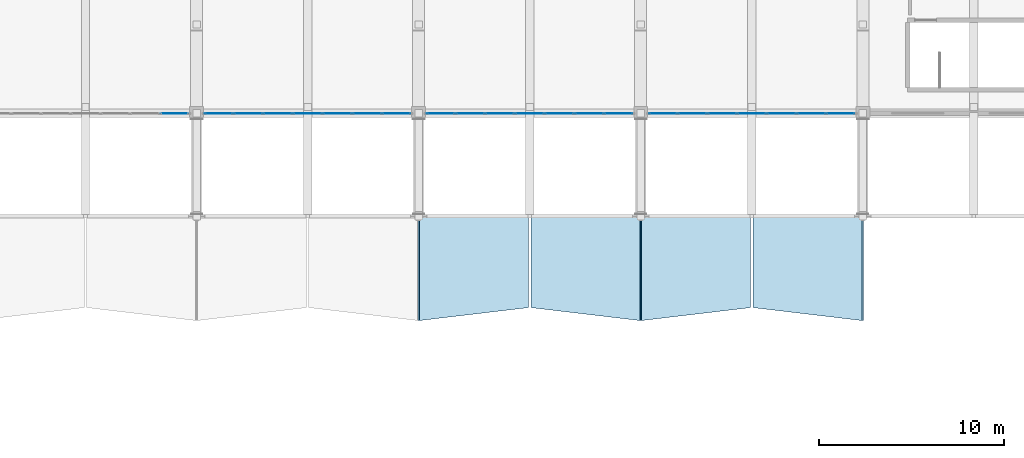
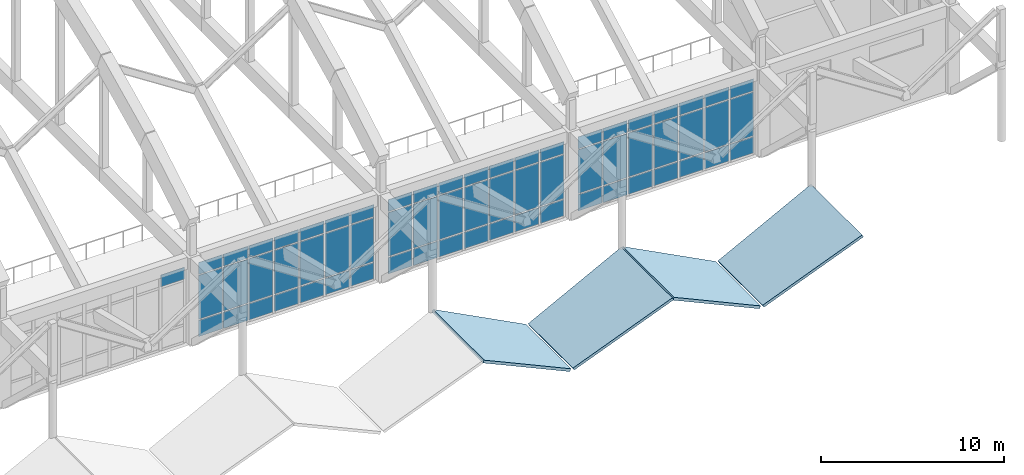
# One storey, part 191 of 236: 64 plates, 4 slabs, 4 elements without a shape of their own.
"""IFC4 building model written with IfcOpenShell, lengths in metres."""

from ifc_helpers import new_model, si_unit, direction, frame, origin, origin_2d, place, context, subcontext, project, spatial, polyline, rectangle, outline, extrude, material, layer, layer_set, type_object, element, aggregate, save


model = new_model("IFC4")

# Units and contexts
model_context = context("Model", 3, precision=1e-05, world=origin(), true_north=direction((0.0, 1.0)))
body_context = subcontext(model_context, "Body", "Model", "MODEL_VIEW")
ifc_project = project(units=[si_unit("LENGTHUNIT", "METRE"), si_unit("AREAUNIT", "SQUARE_METRE"), si_unit("VOLUMEUNIT", "CUBIC_METRE"), si_unit("PLANEANGLEUNIT", "RADIAN"), si_unit("MASSUNIT", "GRAM", prefix="KILO")], contexts=[model_context])

# Site, building, storey
site_placement = place(None, origin())
site = spatial("IfcSite", under=ifc_project, at=site_placement, CompositionType="ELEMENT")
building_placement = place(site_placement, origin())
building = spatial("IfcBuilding", under=site, at=building_placement, Name="Pandanus Reach Market Hall", CompositionType="ELEMENT")
storey_placement = place(building_placement, frame((0.0, 0.0, 5.39990234375)))
storey = spatial("IfcBuildingStorey", under=building, at=storey_placement, Name="L01", CompositionType="ELEMENT", Elevation=5.39990234375)

# Curtain wall, plate
ifc_material_1 = material(Name="Bronze anodised aluminium and low-E glass", Category="aluminium")
ifc_layer_1 = layer(ifc_material_1, 0.199951171875, Name="CW-02")
ifc_layer_set_1 = layer_set([ifc_layer_1], Name="Bronze anodised aluminium and low-E glass")
curtain_wall_type = type_object("IfcCurtainWallType", Name="CW-02", PredefinedType="NOTDEFINED", material=ifc_layer_set_1)
curtain_wall_1_placement = place(storey_placement, origin())
curtain_wall_1 = element("IfcCurtainWall", 1, at=curtain_wall_1_placement, inside=storey, type_object=curtain_wall_type, Name="Glazed curtain wall CW-02 CW-0004", PredefinedType="NOTDEFINED")
ifc_material_2 = material(Name="Acoustic laminated solar double glazing", Category="glass")
ifc_layer_2 = layer(ifc_material_2, 0.031982421875, Name="CW-P2")
ifc_layer_set_2 = layer_set([ifc_layer_2], Name="Acoustic laminated solar double glazing")
plate_type = type_object("IfcPlateType", Name="CW-P2", PredefinedType="CURTAIN_PANEL", material=ifc_layer_set_2)
plate_1_placement = place(storey_placement, frame((82.802734375, 28.800048828125, 4.237548828125), z_axis=(0.0, 0.0, 1.0), x_axis=(1.0, 0.0, 0.0)))
plate_1 = element("IfcPlate", 2, at=plate_1_placement, type_object=plate_type, Name="CW-02 panel 7.3", PredefinedType="CURTAIN_PANEL", context=body_context, shape_type="SweptSolid", body=[
    extrude(rectangle(XDim=1.49462890625, YDim=0.031982421875, at=origin_2d()), origin(), (0.0, 0.0, 1.0), 0.78759765625),
])
aggregate(curtain_wall_1, [plate_1])

# Curtain wall, plates
curtain_wall_2_placement = place(storey_placement, origin())
curtain_wall_2 = element("IfcCurtainWall", 3, at=curtain_wall_2_placement, inside=storey, type_object=curtain_wall_type, Name="Glazed curtain wall CW-02 CW-0005", PredefinedType="NOTDEFINED")
plate_2_placement = place(storey_placement, frame((85.197265625, 28.800048828125, 0.0751953125), z_axis=(0.0, 0.0, 1.0), x_axis=(1.0, 0.0, 0.0)))
plate_2 = element("IfcPlate", 4, at=plate_2_placement, type_object=plate_type, Name="CW-02 panel 1.1", PredefinedType="CURTAIN_PANEL", context=body_context, shape_type="SweptSolid", body=[
    extrude(rectangle(XDim=1.49462890625, YDim=0.031982421875, at=origin_2d()), origin(), (0.0, 0.0, 1.0), 1.08740234375),
])
plate_3_placement = place(storey_placement, frame((85.197265625, 28.800048828125, 1.23779296875), z_axis=(0.0, 0.0, 1.0), x_axis=(1.0, 0.0, 0.0)))
plate_3 = element("IfcPlate", 5, at=plate_3_placement, type_object=plate_type, Name="CW-02 panel 1.2", PredefinedType="CURTAIN_PANEL", context=body_context, shape_type="SweptSolid", body=[
    extrude(rectangle(XDim=1.49462890625, YDim=0.031982421875, at=origin_2d()), origin(), (0.0, 0.0, 1.0), 2.925048828125),
])
plate_4_placement = place(storey_placement, frame((85.197265625, 28.800048828125, 4.237548828125), z_axis=(0.0, 0.0, 1.0), x_axis=(1.0, 0.0, 0.0)))
plate_4 = element("IfcPlate", 6, at=plate_4_placement, type_object=plate_type, Name="CW-02 panel 1.3", PredefinedType="CURTAIN_PANEL", context=body_context, shape_type="SweptSolid", body=[
    extrude(rectangle(XDim=1.49462890625, YDim=0.031982421875, at=origin_2d()), origin(), (0.0, 0.0, 1.0), 0.78759765625),
])
plate_5_placement = place(storey_placement, frame((86.78564453125, 28.800048828125, 0.0751953125), z_axis=(0.0, 0.0, 1.0), x_axis=(1.0, 0.0, 0.0)))
plate_5 = element("IfcPlate", 7, at=plate_5_placement, type_object=plate_type, Name="CW-02 panel 2.1", PredefinedType="CURTAIN_PANEL", context=body_context, shape_type="SweptSolid", body=[
    extrude(rectangle(XDim=1.5322265625, YDim=0.031982421875, at=origin_2d()), origin(), (0.0, 0.0, 1.0), 1.08740234375),
])
plate_6_placement = place(storey_placement, frame((86.78564453125, 28.800048828125, 1.23779296875), z_axis=(0.0, 0.0, 1.0), x_axis=(1.0, 0.0, 0.0)))
plate_6 = element("IfcPlate", 8, at=plate_6_placement, type_object=plate_type, Name="CW-02 panel 2.2", PredefinedType="CURTAIN_PANEL", context=body_context, shape_type="SweptSolid", body=[
    extrude(rectangle(XDim=1.5322265625, YDim=0.031982421875, at=origin_2d()), origin(), (0.0, 0.0, 1.0), 2.925048828125),
])
plate_7_placement = place(storey_placement, frame((86.78564453125, 28.800048828125, 4.237548828125), z_axis=(0.0, 0.0, 1.0), x_axis=(1.0, 0.0, 0.0)))
plate_7 = element("IfcPlate", 9, at=plate_7_placement, type_object=plate_type, Name="CW-02 panel 2.3", PredefinedType="CURTAIN_PANEL", context=body_context, shape_type="SweptSolid", body=[
    extrude(rectangle(XDim=1.5322265625, YDim=0.031982421875, at=origin_2d()), origin(), (0.0, 0.0, 1.0), 0.78759765625),
])
plate_8_placement = place(storey_placement, frame((88.392822265625, 28.800048828125, 0.0751953125), z_axis=(0.0, 0.0, 1.0), x_axis=(1.0, 0.0, 0.0)))
plate_8 = element("IfcPlate", 10, at=plate_8_placement, type_object=plate_type, Name="CW-02 panel 3.1", PredefinedType="CURTAIN_PANEL", context=body_context, shape_type="SweptSolid", body=[
    extrude(rectangle(XDim=1.5322265625, YDim=0.031982421875, at=origin_2d()), origin(), (0.0, 0.0, 1.0), 1.08740234375),
])
plate_9_placement = place(storey_placement, frame((88.392822265625, 28.800048828125, 1.23779296875), z_axis=(0.0, 0.0, 1.0), x_axis=(1.0, 0.0, 0.0)))
plate_9 = element("IfcPlate", 11, at=plate_9_placement, type_object=plate_type, Name="CW-02 panel 3.2", PredefinedType="CURTAIN_PANEL", context=body_context, shape_type="SweptSolid", body=[
    extrude(rectangle(XDim=1.5322265625, YDim=0.031982421875, at=origin_2d()), origin(), (0.0, 0.0, 1.0), 2.925048828125),
])
plate_10_placement = place(storey_placement, frame((88.392822265625, 28.800048828125, 4.237548828125), z_axis=(0.0, 0.0, 1.0), x_axis=(1.0, 0.0, 0.0)))
plate_10 = element("IfcPlate", 12, at=plate_10_placement, type_object=plate_type, Name="CW-02 panel 3.3", PredefinedType="CURTAIN_PANEL", context=body_context, shape_type="SweptSolid", body=[
    extrude(rectangle(XDim=1.5322265625, YDim=0.031982421875, at=origin_2d()), origin(), (0.0, 0.0, 1.0), 0.78759765625),
])
plate_11_placement = place(storey_placement, frame((90.0, 28.800048828125, 0.0751953125), z_axis=(0.0, 0.0, 1.0), x_axis=(1.0, 0.0, 0.0)))
plate_11 = element("IfcPlate", 13, at=plate_11_placement, type_object=plate_type, Name="CW-02 panel 4.1", PredefinedType="CURTAIN_PANEL", context=body_context, shape_type="SweptSolid", body=[
    extrude(rectangle(XDim=1.5322265625, YDim=0.031982421875, at=origin_2d()), origin(), (0.0, 0.0, 1.0), 1.08740234375),
])
plate_12_placement = place(storey_placement, frame((90.0, 28.800048828125, 1.23779296875), z_axis=(0.0, 0.0, 1.0), x_axis=(1.0, 0.0, 0.0)))
plate_12 = element("IfcPlate", 14, at=plate_12_placement, type_object=plate_type, Name="CW-02 panel 4.2", PredefinedType="CURTAIN_PANEL", context=body_context, shape_type="SweptSolid", body=[
    extrude(rectangle(XDim=1.5322265625, YDim=0.031982421875, at=origin_2d()), origin(), (0.0, 0.0, 1.0), 2.925048828125),
])
plate_13_placement = place(storey_placement, frame((90.0, 28.800048828125, 4.237548828125), z_axis=(0.0, 0.0, 1.0), x_axis=(1.0, 0.0, 0.0)))
plate_13 = element("IfcPlate", 15, at=plate_13_placement, type_object=plate_type, Name="CW-02 panel 4.3", PredefinedType="CURTAIN_PANEL", context=body_context, shape_type="SweptSolid", body=[
    extrude(rectangle(XDim=1.5322265625, YDim=0.031982421875, at=origin_2d()), origin(), (0.0, 0.0, 1.0), 0.78759765625),
])
plate_14_placement = place(storey_placement, frame((91.607177734375, 28.800048828125, 0.0751953125), z_axis=(0.0, 0.0, 1.0), x_axis=(1.0, 0.0, 0.0)))
plate_14 = element("IfcPlate", 16, at=plate_14_placement, type_object=plate_type, Name="CW-02 panel 5.1", PredefinedType="CURTAIN_PANEL", context=body_context, shape_type="SweptSolid", body=[
    extrude(rectangle(XDim=1.5322265625, YDim=0.031982421875, at=origin_2d()), origin(), (0.0, 0.0, 1.0), 1.08740234375),
])
plate_15_placement = place(storey_placement, frame((91.607177734375, 28.800048828125, 1.23779296875), z_axis=(0.0, 0.0, 1.0), x_axis=(1.0, 0.0, 0.0)))
plate_15 = element("IfcPlate", 17, at=plate_15_placement, type_object=plate_type, Name="CW-02 panel 5.2", PredefinedType="CURTAIN_PANEL", context=body_context, shape_type="SweptSolid", body=[
    extrude(rectangle(XDim=1.5322265625, YDim=0.031982421875, at=origin_2d()), origin(), (0.0, 0.0, 1.0), 2.925048828125),
])
plate_16_placement = place(storey_placement, frame((91.607177734375, 28.800048828125, 4.237548828125), z_axis=(0.0, 0.0, 1.0), x_axis=(1.0, 0.0, 0.0)))
plate_16 = element("IfcPlate", 18, at=plate_16_placement, type_object=plate_type, Name="CW-02 panel 5.3", PredefinedType="CURTAIN_PANEL", context=body_context, shape_type="SweptSolid", body=[
    extrude(rectangle(XDim=1.5322265625, YDim=0.031982421875, at=origin_2d()), origin(), (0.0, 0.0, 1.0), 0.78759765625),
])
plate_17_placement = place(storey_placement, frame((93.21435546875, 28.800048828125, 0.0751953125), z_axis=(0.0, 0.0, 1.0), x_axis=(1.0, 0.0, 0.0)))
plate_17 = element("IfcPlate", 19, at=plate_17_placement, type_object=plate_type, Name="CW-02 panel 6.1", PredefinedType="CURTAIN_PANEL", context=body_context, shape_type="SweptSolid", body=[
    extrude(rectangle(XDim=1.5322265625, YDim=0.031982421875, at=origin_2d()), origin(), (0.0, 0.0, 1.0), 1.08740234375),
])
plate_18_placement = place(storey_placement, frame((93.21435546875, 28.800048828125, 1.23779296875), z_axis=(0.0, 0.0, 1.0), x_axis=(1.0, 0.0, 0.0)))
plate_18 = element("IfcPlate", 20, at=plate_18_placement, type_object=plate_type, Name="CW-02 panel 6.2", PredefinedType="CURTAIN_PANEL", context=body_context, shape_type="SweptSolid", body=[
    extrude(rectangle(XDim=1.5322265625, YDim=0.031982421875, at=origin_2d()), origin(), (0.0, 0.0, 1.0), 2.925048828125),
])
plate_19_placement = place(storey_placement, frame((93.21435546875, 28.800048828125, 4.237548828125), z_axis=(0.0, 0.0, 1.0), x_axis=(1.0, 0.0, 0.0)))
plate_19 = element("IfcPlate", 21, at=plate_19_placement, type_object=plate_type, Name="CW-02 panel 6.3", PredefinedType="CURTAIN_PANEL", context=body_context, shape_type="SweptSolid", body=[
    extrude(rectangle(XDim=1.5322265625, YDim=0.031982421875, at=origin_2d()), origin(), (0.0, 0.0, 1.0), 0.78759765625),
])
plate_20_placement = place(storey_placement, frame((94.802734375, 28.800048828125, 0.0751953125), z_axis=(0.0, 0.0, 1.0), x_axis=(1.0, 0.0, 0.0)))
plate_20 = element("IfcPlate", 22, at=plate_20_placement, type_object=plate_type, Name="CW-02 panel 7.1", PredefinedType="CURTAIN_PANEL", context=body_context, shape_type="SweptSolid", body=[
    extrude(rectangle(XDim=1.49462890625, YDim=0.031982421875, at=origin_2d()), origin(), (0.0, 0.0, 1.0), 1.08740234375),
])
plate_21_placement = place(storey_placement, frame((94.802734375, 28.800048828125, 1.23779296875), z_axis=(0.0, 0.0, 1.0), x_axis=(1.0, 0.0, 0.0)))
plate_21 = element("IfcPlate", 23, at=plate_21_placement, type_object=plate_type, Name="CW-02 panel 7.2", PredefinedType="CURTAIN_PANEL", context=body_context, shape_type="SweptSolid", body=[
    extrude(rectangle(XDim=1.49462890625, YDim=0.031982421875, at=origin_2d()), origin(), (0.0, 0.0, 1.0), 2.925048828125),
])
plate_22_placement = place(storey_placement, frame((94.802734375, 28.800048828125, 4.237548828125), z_axis=(0.0, 0.0, 1.0), x_axis=(1.0, 0.0, 0.0)))
plate_22 = element("IfcPlate", 24, at=plate_22_placement, type_object=plate_type, Name="CW-02 panel 7.3", PredefinedType="CURTAIN_PANEL", context=body_context, shape_type="SweptSolid", body=[
    extrude(rectangle(XDim=1.49462890625, YDim=0.031982421875, at=origin_2d()), origin(), (0.0, 0.0, 1.0), 0.78759765625),
])
aggregate(curtain_wall_2, [plate_2, plate_3, plate_4, plate_5, plate_6, plate_7, plate_8, plate_9, plate_10, plate_11, plate_12, plate_13, plate_14, plate_15, plate_16, plate_17, plate_18, plate_19, plate_20, plate_21, plate_22])

curtain_wall_3_placement = place(storey_placement, origin())
curtain_wall_3 = element("IfcCurtainWall", 25, at=curtain_wall_3_placement, inside=storey, type_object=curtain_wall_type, Name="Glazed curtain wall CW-02 CW-0006", PredefinedType="NOTDEFINED")
plate_23_placement = place(storey_placement, frame((97.197265625, 28.800048828125, 0.0751953125), z_axis=(0.0, 0.0, 1.0), x_axis=(1.0, 0.0, 0.0)))
plate_23 = element("IfcPlate", 26, at=plate_23_placement, type_object=plate_type, Name="CW-02 panel 1.1", PredefinedType="CURTAIN_PANEL", context=body_context, shape_type="SweptSolid", body=[
    extrude(rectangle(XDim=1.49462890625, YDim=0.031982421875, at=origin_2d()), origin(), (0.0, 0.0, 1.0), 1.08740234375),
])
plate_24_placement = place(storey_placement, frame((97.197265625, 28.800048828125, 1.23779296875), z_axis=(0.0, 0.0, 1.0), x_axis=(1.0, 0.0, 0.0)))
plate_24 = element("IfcPlate", 27, at=plate_24_placement, type_object=plate_type, Name="CW-02 panel 1.2", PredefinedType="CURTAIN_PANEL", context=body_context, shape_type="SweptSolid", body=[
    extrude(rectangle(XDim=1.49462890625, YDim=0.031982421875, at=origin_2d()), origin(), (0.0, 0.0, 1.0), 2.925048828125),
])
plate_25_placement = place(storey_placement, frame((97.197265625, 28.800048828125, 4.237548828125), z_axis=(0.0, 0.0, 1.0), x_axis=(1.0, 0.0, 0.0)))
plate_25 = element("IfcPlate", 28, at=plate_25_placement, type_object=plate_type, Name="CW-02 panel 1.3", PredefinedType="CURTAIN_PANEL", context=body_context, shape_type="SweptSolid", body=[
    extrude(rectangle(XDim=1.49462890625, YDim=0.031982421875, at=origin_2d()), origin(), (0.0, 0.0, 1.0), 0.78759765625),
])
plate_26_placement = place(storey_placement, frame((98.78564453125, 28.800048828125, 0.0751953125), z_axis=(0.0, 0.0, 1.0), x_axis=(1.0, 0.0, 0.0)))
plate_26 = element("IfcPlate", 29, at=plate_26_placement, type_object=plate_type, Name="CW-02 panel 2.1", PredefinedType="CURTAIN_PANEL", context=body_context, shape_type="SweptSolid", body=[
    extrude(rectangle(XDim=1.5322265625, YDim=0.031982421875, at=origin_2d()), origin(), (0.0, 0.0, 1.0), 1.08740234375),
])
plate_27_placement = place(storey_placement, frame((98.78564453125, 28.800048828125, 1.23779296875), z_axis=(0.0, 0.0, 1.0), x_axis=(1.0, 0.0, 0.0)))
plate_27 = element("IfcPlate", 30, at=plate_27_placement, type_object=plate_type, Name="CW-02 panel 2.2", PredefinedType="CURTAIN_PANEL", context=body_context, shape_type="SweptSolid", body=[
    extrude(rectangle(XDim=1.5322265625, YDim=0.031982421875, at=origin_2d()), origin(), (0.0, 0.0, 1.0), 2.925048828125),
])
plate_28_placement = place(storey_placement, frame((98.78564453125, 28.800048828125, 4.237548828125), z_axis=(0.0, 0.0, 1.0), x_axis=(1.0, 0.0, 0.0)))
plate_28 = element("IfcPlate", 31, at=plate_28_placement, type_object=plate_type, Name="CW-02 panel 2.3", PredefinedType="CURTAIN_PANEL", context=body_context, shape_type="SweptSolid", body=[
    extrude(rectangle(XDim=1.5322265625, YDim=0.031982421875, at=origin_2d()), origin(), (0.0, 0.0, 1.0), 0.78759765625),
])
plate_29_placement = place(storey_placement, frame((100.392822265625, 28.800048828125, 0.0751953125), z_axis=(0.0, 0.0, 1.0), x_axis=(1.0, 0.0, 0.0)))
plate_29 = element("IfcPlate", 32, at=plate_29_placement, type_object=plate_type, Name="CW-02 panel 3.1", PredefinedType="CURTAIN_PANEL", context=body_context, shape_type="SweptSolid", body=[
    extrude(rectangle(XDim=1.5322265625, YDim=0.031982421875, at=origin_2d()), origin(), (0.0, 0.0, 1.0), 1.08740234375),
])
plate_30_placement = place(storey_placement, frame((100.392822265625, 28.800048828125, 1.23779296875), z_axis=(0.0, 0.0, 1.0), x_axis=(1.0, 0.0, 0.0)))
plate_30 = element("IfcPlate", 33, at=plate_30_placement, type_object=plate_type, Name="CW-02 panel 3.2", PredefinedType="CURTAIN_PANEL", context=body_context, shape_type="SweptSolid", body=[
    extrude(rectangle(XDim=1.5322265625, YDim=0.031982421875, at=origin_2d()), origin(), (0.0, 0.0, 1.0), 2.925048828125),
])
plate_31_placement = place(storey_placement, frame((100.392822265625, 28.800048828125, 4.237548828125), z_axis=(0.0, 0.0, 1.0), x_axis=(1.0, 0.0, 0.0)))
plate_31 = element("IfcPlate", 34, at=plate_31_placement, type_object=plate_type, Name="CW-02 panel 3.3", PredefinedType="CURTAIN_PANEL", context=body_context, shape_type="SweptSolid", body=[
    extrude(rectangle(XDim=1.5322265625, YDim=0.031982421875, at=origin_2d()), origin(), (0.0, 0.0, 1.0), 0.78759765625),
])
plate_32_placement = place(storey_placement, frame((102.0, 28.800048828125, 0.0751953125), z_axis=(0.0, 0.0, 1.0), x_axis=(1.0, 0.0, 0.0)))
plate_32 = element("IfcPlate", 35, at=plate_32_placement, type_object=plate_type, Name="CW-02 panel 4.1", PredefinedType="CURTAIN_PANEL", context=body_context, shape_type="SweptSolid", body=[
    extrude(rectangle(XDim=1.5322265625, YDim=0.031982421875, at=origin_2d()), origin(), (0.0, 0.0, 1.0), 1.08740234375),
])
plate_33_placement = place(storey_placement, frame((102.0, 28.800048828125, 1.23779296875), z_axis=(0.0, 0.0, 1.0), x_axis=(1.0, 0.0, 0.0)))
plate_33 = element("IfcPlate", 36, at=plate_33_placement, type_object=plate_type, Name="CW-02 panel 4.2", PredefinedType="CURTAIN_PANEL", context=body_context, shape_type="SweptSolid", body=[
    extrude(rectangle(XDim=1.5322265625, YDim=0.031982421875, at=origin_2d()), origin(), (0.0, 0.0, 1.0), 2.925048828125),
])
plate_34_placement = place(storey_placement, frame((102.0, 28.800048828125, 4.237548828125), z_axis=(0.0, 0.0, 1.0), x_axis=(1.0, 0.0, 0.0)))
plate_34 = element("IfcPlate", 37, at=plate_34_placement, type_object=plate_type, Name="CW-02 panel 4.3", PredefinedType="CURTAIN_PANEL", context=body_context, shape_type="SweptSolid", body=[
    extrude(rectangle(XDim=1.5322265625, YDim=0.031982421875, at=origin_2d()), origin(), (0.0, 0.0, 1.0), 0.78759765625),
])
plate_35_placement = place(storey_placement, frame((103.607177734375, 28.800048828125, 0.0751953125), z_axis=(0.0, 0.0, 1.0), x_axis=(1.0, 0.0, 0.0)))
plate_35 = element("IfcPlate", 38, at=plate_35_placement, type_object=plate_type, Name="CW-02 panel 5.1", PredefinedType="CURTAIN_PANEL", context=body_context, shape_type="SweptSolid", body=[
    extrude(rectangle(XDim=1.5322265625, YDim=0.031982421875, at=origin_2d()), origin(), (0.0, 0.0, 1.0), 1.08740234375),
])
plate_36_placement = place(storey_placement, frame((103.607177734375, 28.800048828125, 1.23779296875), z_axis=(0.0, 0.0, 1.0), x_axis=(1.0, 0.0, 0.0)))
plate_36 = element("IfcPlate", 39, at=plate_36_placement, type_object=plate_type, Name="CW-02 panel 5.2", PredefinedType="CURTAIN_PANEL", context=body_context, shape_type="SweptSolid", body=[
    extrude(rectangle(XDim=1.5322265625, YDim=0.031982421875, at=origin_2d()), origin(), (0.0, 0.0, 1.0), 2.925048828125),
])
plate_37_placement = place(storey_placement, frame((103.607177734375, 28.800048828125, 4.237548828125), z_axis=(0.0, 0.0, 1.0), x_axis=(1.0, 0.0, 0.0)))
plate_37 = element("IfcPlate", 40, at=plate_37_placement, type_object=plate_type, Name="CW-02 panel 5.3", PredefinedType="CURTAIN_PANEL", context=body_context, shape_type="SweptSolid", body=[
    extrude(rectangle(XDim=1.5322265625, YDim=0.031982421875, at=origin_2d()), origin(), (0.0, 0.0, 1.0), 0.78759765625),
])
plate_38_placement = place(storey_placement, frame((105.21435546875, 28.800048828125, 0.0751953125), z_axis=(0.0, 0.0, 1.0), x_axis=(1.0, 0.0, 0.0)))
plate_38 = element("IfcPlate", 41, at=plate_38_placement, type_object=plate_type, Name="CW-02 panel 6.1", PredefinedType="CURTAIN_PANEL", context=body_context, shape_type="SweptSolid", body=[
    extrude(rectangle(XDim=1.5322265625, YDim=0.031982421875, at=origin_2d()), origin(), (0.0, 0.0, 1.0), 1.08740234375),
])
plate_39_placement = place(storey_placement, frame((105.21435546875, 28.800048828125, 1.23779296875), z_axis=(0.0, 0.0, 1.0), x_axis=(1.0, 0.0, 0.0)))
plate_39 = element("IfcPlate", 42, at=plate_39_placement, type_object=plate_type, Name="CW-02 panel 6.2", PredefinedType="CURTAIN_PANEL", context=body_context, shape_type="SweptSolid", body=[
    extrude(rectangle(XDim=1.5322265625, YDim=0.031982421875, at=origin_2d()), origin(), (0.0, 0.0, 1.0), 2.925048828125),
])
plate_40_placement = place(storey_placement, frame((105.21435546875, 28.800048828125, 4.237548828125), z_axis=(0.0, 0.0, 1.0), x_axis=(1.0, 0.0, 0.0)))
plate_40 = element("IfcPlate", 43, at=plate_40_placement, type_object=plate_type, Name="CW-02 panel 6.3", PredefinedType="CURTAIN_PANEL", context=body_context, shape_type="SweptSolid", body=[
    extrude(rectangle(XDim=1.5322265625, YDim=0.031982421875, at=origin_2d()), origin(), (0.0, 0.0, 1.0), 0.78759765625),
])
plate_41_placement = place(storey_placement, frame((106.802734375, 28.800048828125, 0.0751953125), z_axis=(0.0, 0.0, 1.0), x_axis=(1.0, 0.0, 0.0)))
plate_41 = element("IfcPlate", 44, at=plate_41_placement, type_object=plate_type, Name="CW-02 panel 7.1", PredefinedType="CURTAIN_PANEL", context=body_context, shape_type="SweptSolid", body=[
    extrude(rectangle(XDim=1.49462890625, YDim=0.031982421875, at=origin_2d()), origin(), (0.0, 0.0, 1.0), 1.08740234375),
])
plate_42_placement = place(storey_placement, frame((106.802734375, 28.800048828125, 1.23779296875), z_axis=(0.0, 0.0, 1.0), x_axis=(1.0, 0.0, 0.0)))
plate_42 = element("IfcPlate", 45, at=plate_42_placement, type_object=plate_type, Name="CW-02 panel 7.2", PredefinedType="CURTAIN_PANEL", context=body_context, shape_type="SweptSolid", body=[
    extrude(rectangle(XDim=1.49462890625, YDim=0.031982421875, at=origin_2d()), origin(), (0.0, 0.0, 1.0), 2.925048828125),
])
plate_43_placement = place(storey_placement, frame((106.802734375, 28.800048828125, 4.237548828125), z_axis=(0.0, 0.0, 1.0), x_axis=(1.0, 0.0, 0.0)))
plate_43 = element("IfcPlate", 46, at=plate_43_placement, type_object=plate_type, Name="CW-02 panel 7.3", PredefinedType="CURTAIN_PANEL", context=body_context, shape_type="SweptSolid", body=[
    extrude(rectangle(XDim=1.49462890625, YDim=0.031982421875, at=origin_2d()), origin(), (0.0, 0.0, 1.0), 0.78759765625),
])
aggregate(curtain_wall_3, [plate_23, plate_24, plate_25, plate_26, plate_27, plate_28, plate_29, plate_30, plate_31, plate_32, plate_33, plate_34, plate_35, plate_36, plate_37, plate_38, plate_39, plate_40, plate_41, plate_42, plate_43])

curtain_wall_4_placement = place(storey_placement, origin())
curtain_wall_4 = element("IfcCurtainWall", 47, at=curtain_wall_4_placement, inside=storey, type_object=curtain_wall_type, Name="Glazed curtain wall CW-02 CW-0008", PredefinedType="NOTDEFINED")
plate_44_placement = place(storey_placement, frame((109.197265625, 28.800048828125, 0.0751953125), z_axis=(0.0, 0.0, 1.0), x_axis=(1.0, 0.0, 0.0)))
plate_44 = element("IfcPlate", 48, at=plate_44_placement, type_object=plate_type, Name="CW-02 panel 1.1", PredefinedType="CURTAIN_PANEL", context=body_context, shape_type="SweptSolid", body=[
    extrude(rectangle(XDim=1.49462890625, YDim=0.031982421875, at=origin_2d()), origin(), (0.0, 0.0, 1.0), 1.08740234375),
])
plate_45_placement = place(storey_placement, frame((109.197265625, 28.800048828125, 1.23779296875), z_axis=(0.0, 0.0, 1.0), x_axis=(1.0, 0.0, 0.0)))
plate_45 = element("IfcPlate", 49, at=plate_45_placement, type_object=plate_type, Name="CW-02 panel 1.2", PredefinedType="CURTAIN_PANEL", context=body_context, shape_type="SweptSolid", body=[
    extrude(rectangle(XDim=1.49462890625, YDim=0.031982421875, at=origin_2d()), origin(), (0.0, 0.0, 1.0), 2.925048828125),
])
plate_46_placement = place(storey_placement, frame((109.197265625, 28.800048828125, 4.237548828125), z_axis=(0.0, 0.0, 1.0), x_axis=(1.0, 0.0, 0.0)))
plate_46 = element("IfcPlate", 50, at=plate_46_placement, type_object=plate_type, Name="CW-02 panel 1.3", PredefinedType="CURTAIN_PANEL", context=body_context, shape_type="SweptSolid", body=[
    extrude(rectangle(XDim=1.49462890625, YDim=0.031982421875, at=origin_2d()), origin(), (0.0, 0.0, 1.0), 0.78759765625),
])
plate_47_placement = place(storey_placement, frame((110.78564453125, 28.800048828125, 0.0751953125), z_axis=(0.0, 0.0, 1.0), x_axis=(1.0, 0.0, 0.0)))
plate_47 = element("IfcPlate", 51, at=plate_47_placement, type_object=plate_type, Name="CW-02 panel 2.1", PredefinedType="CURTAIN_PANEL", context=body_context, shape_type="SweptSolid", body=[
    extrude(rectangle(XDim=1.5322265625, YDim=0.031982421875, at=origin_2d()), origin(), (0.0, 0.0, 1.0), 1.08740234375),
])
plate_48_placement = place(storey_placement, frame((110.78564453125, 28.800048828125, 1.23779296875), z_axis=(0.0, 0.0, 1.0), x_axis=(1.0, 0.0, 0.0)))
plate_48 = element("IfcPlate", 52, at=plate_48_placement, type_object=plate_type, Name="CW-02 panel 2.2", PredefinedType="CURTAIN_PANEL", context=body_context, shape_type="SweptSolid", body=[
    extrude(rectangle(XDim=1.5322265625, YDim=0.031982421875, at=origin_2d()), origin(), (0.0, 0.0, 1.0), 2.925048828125),
])
plate_49_placement = place(storey_placement, frame((110.78564453125, 28.800048828125, 4.237548828125), z_axis=(0.0, 0.0, 1.0), x_axis=(1.0, 0.0, 0.0)))
plate_49 = element("IfcPlate", 53, at=plate_49_placement, type_object=plate_type, Name="CW-02 panel 2.3", PredefinedType="CURTAIN_PANEL", context=body_context, shape_type="SweptSolid", body=[
    extrude(rectangle(XDim=1.5322265625, YDim=0.031982421875, at=origin_2d()), origin(), (0.0, 0.0, 1.0), 0.78759765625),
])
plate_50_placement = place(storey_placement, frame((112.392822265625, 28.800048828125, 0.0751953125), z_axis=(0.0, 0.0, 1.0), x_axis=(1.0, 0.0, 0.0)))
plate_50 = element("IfcPlate", 54, at=plate_50_placement, type_object=plate_type, Name="CW-02 panel 3.1", PredefinedType="CURTAIN_PANEL", context=body_context, shape_type="SweptSolid", body=[
    extrude(rectangle(XDim=1.5322265625, YDim=0.031982421875, at=origin_2d()), origin(), (0.0, 0.0, 1.0), 1.08740234375),
])
plate_51_placement = place(storey_placement, frame((112.392822265625, 28.800048828125, 1.23779296875), z_axis=(0.0, 0.0, 1.0), x_axis=(1.0, 0.0, 0.0)))
plate_51 = element("IfcPlate", 55, at=plate_51_placement, type_object=plate_type, Name="CW-02 panel 3.2", PredefinedType="CURTAIN_PANEL", context=body_context, shape_type="SweptSolid", body=[
    extrude(rectangle(XDim=1.5322265625, YDim=0.031982421875, at=origin_2d()), origin(), (0.0, 0.0, 1.0), 2.925048828125),
])
plate_52_placement = place(storey_placement, frame((112.392822265625, 28.800048828125, 4.237548828125), z_axis=(0.0, 0.0, 1.0), x_axis=(1.0, 0.0, 0.0)))
plate_52 = element("IfcPlate", 56, at=plate_52_placement, type_object=plate_type, Name="CW-02 panel 3.3", PredefinedType="CURTAIN_PANEL", context=body_context, shape_type="SweptSolid", body=[
    extrude(rectangle(XDim=1.5322265625, YDim=0.031982421875, at=origin_2d()), origin(), (0.0, 0.0, 1.0), 0.78759765625),
])
plate_53_placement = place(storey_placement, frame((114.0, 28.800048828125, 0.0751953125), z_axis=(0.0, 0.0, 1.0), x_axis=(1.0, 0.0, 0.0)))
plate_53 = element("IfcPlate", 57, at=plate_53_placement, type_object=plate_type, Name="CW-02 panel 4.1", PredefinedType="CURTAIN_PANEL", context=body_context, shape_type="SweptSolid", body=[
    extrude(rectangle(XDim=1.5322265625, YDim=0.031982421875, at=origin_2d()), origin(), (0.0, 0.0, 1.0), 1.08740234375),
])
plate_54_placement = place(storey_placement, frame((114.0, 28.800048828125, 1.23779296875), z_axis=(0.0, 0.0, 1.0), x_axis=(1.0, 0.0, 0.0)))
plate_54 = element("IfcPlate", 58, at=plate_54_placement, type_object=plate_type, Name="CW-02 panel 4.2", PredefinedType="CURTAIN_PANEL", context=body_context, shape_type="SweptSolid", body=[
    extrude(rectangle(XDim=1.5322265625, YDim=0.031982421875, at=origin_2d()), origin(), (0.0, 0.0, 1.0), 2.925048828125),
])
plate_55_placement = place(storey_placement, frame((114.0, 28.800048828125, 4.237548828125), z_axis=(0.0, 0.0, 1.0), x_axis=(1.0, 0.0, 0.0)))
plate_55 = element("IfcPlate", 59, at=plate_55_placement, type_object=plate_type, Name="CW-02 panel 4.3", PredefinedType="CURTAIN_PANEL", context=body_context, shape_type="SweptSolid", body=[
    extrude(rectangle(XDim=1.5322265625, YDim=0.031982421875, at=origin_2d()), origin(), (0.0, 0.0, 1.0), 0.78759765625),
])
plate_56_placement = place(storey_placement, frame((115.607177734375, 28.800048828125, 0.0751953125), z_axis=(0.0, 0.0, 1.0), x_axis=(1.0, 0.0, 0.0)))
plate_56 = element("IfcPlate", 60, at=plate_56_placement, type_object=plate_type, Name="CW-02 panel 5.1", PredefinedType="CURTAIN_PANEL", context=body_context, shape_type="SweptSolid", body=[
    extrude(rectangle(XDim=1.5322265625, YDim=0.031982421875, at=origin_2d()), origin(), (0.0, 0.0, 1.0), 1.08740234375),
])
plate_57_placement = place(storey_placement, frame((115.607177734375, 28.800048828125, 1.23779296875), z_axis=(0.0, 0.0, 1.0), x_axis=(1.0, 0.0, 0.0)))
plate_57 = element("IfcPlate", 61, at=plate_57_placement, type_object=plate_type, Name="CW-02 panel 5.2", PredefinedType="CURTAIN_PANEL", context=body_context, shape_type="SweptSolid", body=[
    extrude(rectangle(XDim=1.5322265625, YDim=0.031982421875, at=origin_2d()), origin(), (0.0, 0.0, 1.0), 2.925048828125),
])
plate_58_placement = place(storey_placement, frame((115.607177734375, 28.800048828125, 4.237548828125), z_axis=(0.0, 0.0, 1.0), x_axis=(1.0, 0.0, 0.0)))
plate_58 = element("IfcPlate", 62, at=plate_58_placement, type_object=plate_type, Name="CW-02 panel 5.3", PredefinedType="CURTAIN_PANEL", context=body_context, shape_type="SweptSolid", body=[
    extrude(rectangle(XDim=1.5322265625, YDim=0.031982421875, at=origin_2d()), origin(), (0.0, 0.0, 1.0), 0.78759765625),
])
plate_59_placement = place(storey_placement, frame((117.21435546875, 28.800048828125, 0.0751953125), z_axis=(0.0, 0.0, 1.0), x_axis=(1.0, 0.0, 0.0)))
plate_59 = element("IfcPlate", 63, at=plate_59_placement, type_object=plate_type, Name="CW-02 panel 6.1", PredefinedType="CURTAIN_PANEL", context=body_context, shape_type="SweptSolid", body=[
    extrude(rectangle(XDim=1.5322265625, YDim=0.031982421875, at=origin_2d()), origin(), (0.0, 0.0, 1.0), 1.08740234375),
])
plate_60_placement = place(storey_placement, frame((117.21435546875, 28.800048828125, 1.23779296875), z_axis=(0.0, 0.0, 1.0), x_axis=(1.0, 0.0, 0.0)))
plate_60 = element("IfcPlate", 64, at=plate_60_placement, type_object=plate_type, Name="CW-02 panel 6.2", PredefinedType="CURTAIN_PANEL", context=body_context, shape_type="SweptSolid", body=[
    extrude(rectangle(XDim=1.5322265625, YDim=0.031982421875, at=origin_2d()), origin(), (0.0, 0.0, 1.0), 2.925048828125),
])
plate_61_placement = place(storey_placement, frame((117.21435546875, 28.800048828125, 4.237548828125), z_axis=(0.0, 0.0, 1.0), x_axis=(1.0, 0.0, 0.0)))
plate_61 = element("IfcPlate", 65, at=plate_61_placement, type_object=plate_type, Name="CW-02 panel 6.3", PredefinedType="CURTAIN_PANEL", context=body_context, shape_type="SweptSolid", body=[
    extrude(rectangle(XDim=1.5322265625, YDim=0.031982421875, at=origin_2d()), origin(), (0.0, 0.0, 1.0), 0.78759765625),
])
plate_62_placement = place(storey_placement, frame((118.802734375, 28.800048828125, 0.0751953125), z_axis=(0.0, 0.0, 1.0), x_axis=(1.0, 0.0, 0.0)))
plate_62 = element("IfcPlate", 66, at=plate_62_placement, type_object=plate_type, Name="CW-02 panel 7.1", PredefinedType="CURTAIN_PANEL", context=body_context, shape_type="SweptSolid", body=[
    extrude(rectangle(XDim=1.49462890625, YDim=0.031982421875, at=origin_2d()), origin(), (0.0, 0.0, 1.0), 1.08740234375),
])
plate_63_placement = place(storey_placement, frame((118.802734375, 28.800048828125, 1.23779296875), z_axis=(0.0, 0.0, 1.0), x_axis=(1.0, 0.0, 0.0)))
plate_63 = element("IfcPlate", 67, at=plate_63_placement, type_object=plate_type, Name="CW-02 panel 7.2", PredefinedType="CURTAIN_PANEL", context=body_context, shape_type="SweptSolid", body=[
    extrude(rectangle(XDim=1.49462890625, YDim=0.031982421875, at=origin_2d()), origin(), (0.0, 0.0, 1.0), 2.925048828125),
])
plate_64_placement = place(storey_placement, frame((118.802734375, 28.800048828125, 4.237548828125), z_axis=(0.0, 0.0, 1.0), x_axis=(1.0, 0.0, 0.0)))
plate_64 = element("IfcPlate", 68, at=plate_64_placement, type_object=plate_type, Name="CW-02 panel 7.3", PredefinedType="CURTAIN_PANEL", context=body_context, shape_type="SweptSolid", body=[
    extrude(rectangle(XDim=1.49462890625, YDim=0.031982421875, at=origin_2d()), origin(), (0.0, 0.0, 1.0), 0.78759765625),
])
aggregate(curtain_wall_4, [plate_44, plate_45, plate_46, plate_47, plate_48, plate_49, plate_50, plate_51, plate_52, plate_53, plate_54, plate_55, plate_56, plate_57, plate_58, plate_59, plate_60, plate_61, plate_62, plate_63, plate_64])

# Slabs
ifc_material_3 = material(Name="Concrete N50 (50 MPa)", Category="concrete")
ifc_layer_3 = layer(ifc_material_3, 0.179931640625, Name="RF-CNP-180")
ifc_layer_set_3 = layer_set([ifc_layer_3], Name="Concrete N50 (50 MPa)")
slab_type = type_object("IfcSlabType", Name="RF-CNP-180", PredefinedType="ROOF", material=ifc_layer_set_3)
slab_1_placement = place(storey_placement, frame((96.050048828125, 17.60009765625, 1.2275390625), z_axis=(0.461352736642, 0.0, 0.887216801235), x_axis=(0.882326029865, 0.104855076793, -0.45880953553)))
element("IfcSlab", 69, at=slab_1_placement, inside=storey, type_object=slab_type, Name="Forecourt zigzag canopy slab C4W", PredefinedType="ROOF", context=body_context, shape_type="SweptSolid", body=[
    extrude(outline(polyline([(0.0, 0.0), (6.67541518527454, 0.0), (7.18919482180509, 4.872891694196915), (0.5871730704086318, 5.568984394110346), (0.0, 0.0)])), origin(), (0.0, 0.0, -1.0), 0.179931640625),
])
slab_2_placement = place(storey_placement, frame((102.06005859375, 18.300048828125, -1.835205078125), z_axis=(-0.461352736642, 0.0, 0.887216801235), x_axis=(0.882326029865, -0.104855076793, 0.45880953553)))
element("IfcSlab", 70, at=slab_2_placement, inside=storey, type_object=slab_type, Name="Forecourt zigzag canopy slab C4E", PredefinedType="ROOF", context=body_context, shape_type="SweptSolid", body=[
    extrude(outline(polyline([(0.0, 0.0), (6.67541518527454, 0.0), (6.088242114865908, 5.568984394110346), (-0.5137796365305507, 4.872891694196915), (0.0, 0.0)])), origin(), (0.0, 0.0, -1.0), 0.179931640625),
])
slab_3_placement = place(storey_placement, frame((108.050048828125, 17.60009765625, 1.2275390625), z_axis=(0.461352736642, 0.0, 0.887216801235), x_axis=(0.882326029865, 0.104855076793, -0.45880953553)))
element("IfcSlab", 71, at=slab_3_placement, inside=storey, type_object=slab_type, Name="Forecourt zigzag canopy slab C5W", PredefinedType="ROOF", context=body_context, shape_type="SweptSolid", body=[
    extrude(outline(polyline([(0.0, 0.0), (6.67541518527454, 0.0), (7.18919482180509, 4.872891694196915), (0.5871730704086318, 5.568984394110346), (0.0, 0.0)])), origin(), (0.0, 0.0, -1.0), 0.179931640625),
])
slab_4_placement = place(storey_placement, frame((114.06005859375, 18.300048828125, -1.835205078125), z_axis=(-0.461352736642, 0.0, 0.887216801235), x_axis=(0.882326029865, -0.104855076793, 0.45880953553)))
element("IfcSlab", 72, at=slab_4_placement, inside=storey, type_object=slab_type, Name="Forecourt zigzag canopy slab C5E", PredefinedType="ROOF", context=body_context, shape_type="SweptSolid", body=[
    extrude(outline(polyline([(0.0, 0.0), (6.67541518527454, 0.0), (6.088242114865908, 5.568984394110346), (-0.5137796365305507, 4.872891694196915), (0.0, 0.0)])), origin(), (0.0, 0.0, -1.0), 0.179931640625),
])

save(model, "model.ifc")
